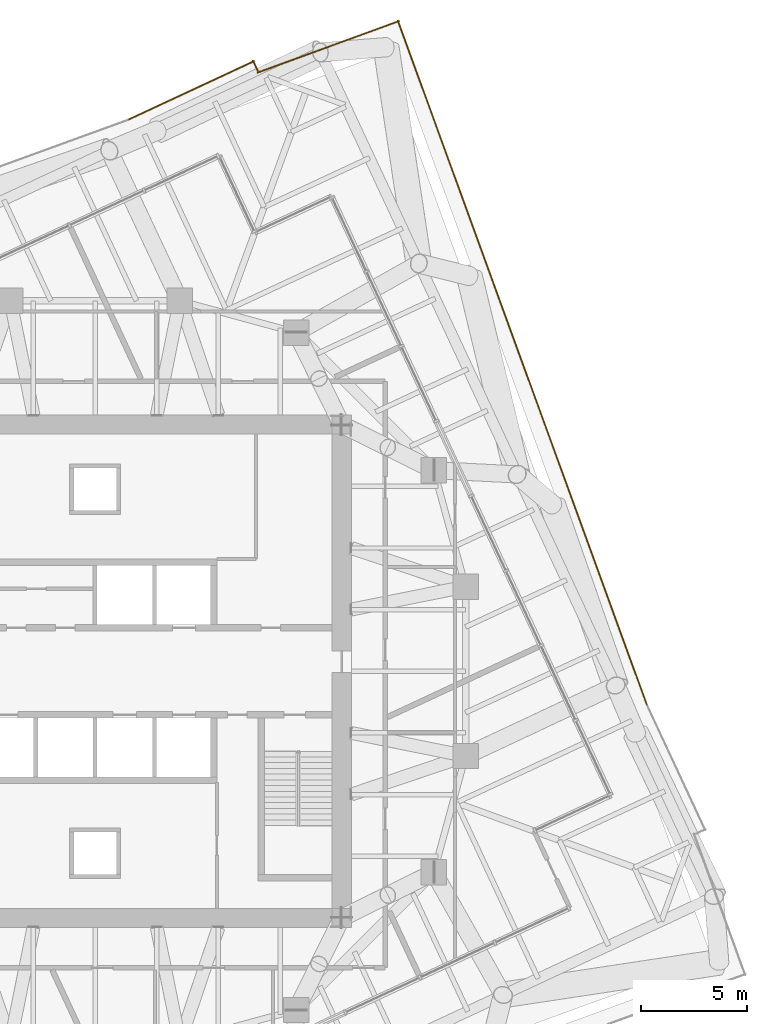
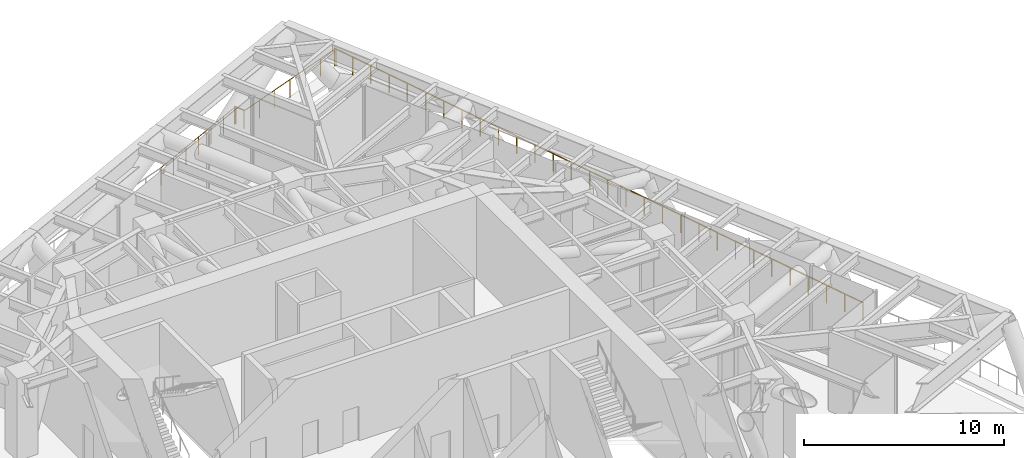
# One storey, part 16 of 16: 4 railings.
"""IFC4 building model written with IfcOpenShell, lengths in metres."""

from ifc_helpers import new_model, si_unit, direction, frame, origin, origin_2d, place, context, subcontext, project, spatial, circle, extrude, material, type_object, element, save


model = new_model("IFC4")

# Units and contexts
model_context = context("Model", 3, precision=1e-05, world=origin(), true_north=direction((0.0, 1.0)))
body_context = subcontext(model_context, "Body", "Model", "MODEL_VIEW")
ifc_project = project(units=[si_unit("LENGTHUNIT", "METRE"), si_unit("AREAUNIT", "SQUARE_METRE"), si_unit("VOLUMEUNIT", "CUBIC_METRE"), si_unit("PLANEANGLEUNIT", "RADIAN"), si_unit("MASSUNIT", "GRAM", prefix="KILO")], contexts=[model_context])

# Site, building, storey
site_placement = place(None, origin())
site = spatial("IfcSite", under=ifc_project, at=site_placement, CompositionType="ELEMENT")
building_placement = place(site_placement, origin())
building = spatial("IfcBuilding", under=site, at=building_placement, Name="Torsade Residences", CompositionType="ELEMENT")
storey_placement = place(building_placement, frame((0.0, 0.0, 171.0)))
storey = spatial("IfcBuildingStorey", under=building, at=storey_placement, Name="L47", CompositionType="ELEMENT", Elevation=171.0)

# Railings
ifc_material = material(Name="Galvanised steel guard rail", Category="steel")
railing_type = type_object("IfcRailingType", Name="ROOF EDGE GUARD 1100", PredefinedType="GUARDRAIL", material=ifc_material)
railing_1_placement = place(storey_placement, frame((66.071533203125, 28.394287109375, 0.0)))
element("IfcRailing", 1, at=railing_1_placement, inside=storey, type_object=railing_type, Name="Roof edge guard L47 7", PredefinedType="GUARDRAIL", context=body_context, shape_type="SweptSolid", body=[
    extrude(circle(Radius=0.02392578125, at=origin_2d()), frame((0.0, 0.0, 1.076171875), z_axis=(-0.342023199778, 0.939691508323, 0.0), x_axis=(-0.939691508323, -0.342023199778, 0.0)), (0.0, 0.0, 1.0), 34.42578125),
    extrude(circle(Radius=0.02099609375, at=origin_2d()), origin(), (0.0, 0.0, 1.0), 1.052001953125),
    extrude(circle(Radius=0.02099609375, at=origin_2d()), frame((-0.406005859375, 1.115478515625, 0.0)), (0.0, 0.0, 1.0), 1.052001953125),
    extrude(circle(Radius=0.02099609375, at=origin_2d()), frame((-0.81201171875, 2.23095703125, 0.0)), (0.0, 0.0, 1.0), 1.052001953125),
    extrude(circle(Radius=0.02099609375, at=origin_2d()), frame((-1.218017578125, 3.346435546875, 0.0)), (0.0, 0.0, 1.0), 1.052001953125),
    extrude(circle(Radius=0.02099609375, at=origin_2d()), frame((-1.6240234375, 4.4619140625, 0.0)), (0.0, 0.0, 1.0), 1.052001953125),
    extrude(circle(Radius=0.02099609375, at=origin_2d()), frame((-2.030029296875, 5.57763671875, 0.0)), (0.0, 0.0, 1.0), 1.052001953125),
    extrude(circle(Radius=0.02099609375, at=origin_2d()), frame((-2.43603515625, 6.693115234375, 0.0)), (0.0, 0.0, 1.0), 1.052001953125),
    extrude(circle(Radius=0.02099609375, at=origin_2d()), frame((-2.842041015625, 7.80859375, 0.0)), (0.0, 0.0, 1.0), 1.052001953125),
    extrude(circle(Radius=0.02099609375, at=origin_2d()), frame((-3.248046875, 8.924072265625, 0.0)), (0.0, 0.0, 1.0), 1.052001953125),
    extrude(circle(Radius=0.02099609375, at=origin_2d()), frame((-3.654052734375, 10.03955078125, 0.0)), (0.0, 0.0, 1.0), 1.052001953125),
    extrude(circle(Radius=0.02099609375, at=origin_2d()), frame((-4.06005859375, 11.155029296875, 0.0)), (0.0, 0.0, 1.0), 1.052001953125),
    extrude(circle(Radius=0.02099609375, at=origin_2d()), frame((-4.466064453125, 12.2705078125, 0.0)), (0.0, 0.0, 1.0), 1.052001953125),
    extrude(circle(Radius=0.02099609375, at=origin_2d()), frame((-4.8720703125, 13.385986328125, 0.0)), (0.0, 0.0, 1.0), 1.052001953125),
    extrude(circle(Radius=0.02099609375, at=origin_2d()), frame((-5.278076171875, 14.50146484375, 0.0)), (0.0, 0.0, 1.0), 1.052001953125),
    extrude(circle(Radius=0.02099609375, at=origin_2d()), frame((-5.68408203125, 15.616943359375, 0.0)), (0.0, 0.0, 1.0), 1.052001953125),
    extrude(circle(Radius=0.02099609375, at=origin_2d()), frame((-6.09033203125, 16.732666015625, 0.0)), (0.0, 0.0, 1.0), 1.052001953125),
    extrude(circle(Radius=0.02099609375, at=origin_2d()), frame((-6.496337890625, 17.84814453125, 0.0)), (0.0, 0.0, 1.0), 1.052001953125),
    extrude(circle(Radius=0.02099609375, at=origin_2d()), frame((-6.90234375, 18.963623046875, 0.0)), (0.0, 0.0, 1.0), 1.052001953125),
    extrude(circle(Radius=0.02099609375, at=origin_2d()), frame((-7.308349609375, 20.0791015625, 0.0)), (0.0, 0.0, 1.0), 1.052001953125),
    extrude(circle(Radius=0.02099609375, at=origin_2d()), frame((-7.71435546875, 21.194580078125, 0.0)), (0.0, 0.0, 1.0), 1.052001953125),
    extrude(circle(Radius=0.02099609375, at=origin_2d()), frame((-8.120361328125, 22.31005859375, 0.0)), (0.0, 0.0, 1.0), 1.052001953125),
    extrude(circle(Radius=0.02099609375, at=origin_2d()), frame((-8.5263671875, 23.425537109375, 0.0)), (0.0, 0.0, 1.0), 1.052001953125),
    extrude(circle(Radius=0.02099609375, at=origin_2d()), frame((-8.932373046875, 24.541015625, 0.0)), (0.0, 0.0, 1.0), 1.052001953125),
    extrude(circle(Radius=0.02099609375, at=origin_2d()), frame((-9.33837890625, 25.656494140625, 0.0)), (0.0, 0.0, 1.0), 1.052001953125),
    extrude(circle(Radius=0.02099609375, at=origin_2d()), frame((-9.744384765625, 26.77197265625, 0.0)), (0.0, 0.0, 1.0), 1.052001953125),
    extrude(circle(Radius=0.02099609375, at=origin_2d()), frame((-10.150390625, 27.8876953125, 0.0)), (0.0, 0.0, 1.0), 1.052001953125),
    extrude(circle(Radius=0.02099609375, at=origin_2d()), frame((-10.556396484375, 29.003173828125, 0.0)), (0.0, 0.0, 1.0), 1.052001953125),
    extrude(circle(Radius=0.02099609375, at=origin_2d()), frame((-10.96240234375, 30.11865234375, 0.0)), (0.0, 0.0, 1.0), 1.052001953125),
    extrude(circle(Radius=0.02099609375, at=origin_2d()), frame((-11.368408203125, 31.234130859375, 0.0)), (0.0, 0.0, 1.0), 1.052001953125),
    extrude(circle(Radius=0.02099609375, at=origin_2d()), frame((-11.7744140625, 32.349609375, 0.0)), (0.0, 0.0, 1.0), 1.052001953125),
])
railing_2_placement = place(storey_placement, frame((54.361328125, 60.714111328125, 0.0)))
element("IfcRailing", 2, at=railing_2_placement, inside=storey, type_object=railing_type, Name="Roof edge guard L47 8", PredefinedType="GUARDRAIL", context=body_context, shape_type="SweptSolid", body=[
    extrude(circle(Radius=0.02392578125, at=origin_2d()), frame((0.0, 0.0, 1.076171875), z_axis=(-0.939690244567, -0.342026671864, 0.0), x_axis=(0.342026671864, -0.939690244567, 0.0)), (0.0, 0.0, 1.0), 7.118896484375),
    extrude(circle(Radius=0.02099609375, at=origin_2d()), origin(), (0.0, 0.0, 1.0), 1.052001953125),
    extrude(circle(Radius=0.02099609375, at=origin_2d()), frame((-1.114990234375, -0.40576171875, 0.0)), (0.0, 0.0, 1.0), 1.052001953125),
    extrude(circle(Radius=0.02099609375, at=origin_2d()), frame((-2.229736328125, -0.8115234375, 0.0)), (0.0, 0.0, 1.0), 1.052001953125),
    extrude(circle(Radius=0.02099609375, at=origin_2d()), frame((-3.3447265625, -1.21728515625, 0.0)), (0.0, 0.0, 1.0), 1.052001953125),
    extrude(circle(Radius=0.02099609375, at=origin_2d()), frame((-4.459716796875, -1.623291015625, 0.0)), (0.0, 0.0, 1.0), 1.052001953125),
    extrude(circle(Radius=0.02099609375, at=origin_2d()), frame((-5.574462890625, -2.029052734375, 0.0)), (0.0, 0.0, 1.0), 1.052001953125),
    extrude(circle(Radius=0.02099609375, at=origin_2d()), frame((-6.689453125, -2.434814453125, 0.0)), (0.0, 0.0, 1.0), 1.052001953125),
])
railing_3_placement = place(storey_placement, frame((47.695556640625, 58.336669921875, 0.0)))
element("IfcRailing", 3, at=railing_3_placement, inside=storey, type_object=railing_type, Name="Roof edge guard L47 9", PredefinedType="GUARDRAIL", context=body_context, shape_type="SweptSolid", body=[
    extrude(circle(Radius=0.02392578125, at=origin_2d()), frame((0.0, 0.0, 1.076171875), z_axis=(-0.422744915894, 0.90624871646, 0.0), x_axis=(-0.90624871646, -0.422744915894, 0.0)), (0.0, 0.0, 1.0), 0.570556640625),
    extrude(circle(Radius=0.02099609375, at=origin_2d()), origin(), (0.0, 0.0, 1.0), 1.052001953125),
    extrude(circle(Radius=0.02099609375, at=origin_2d()), frame((-0.2412109375, 0.51708984375, 0.0)), (0.0, 0.0, 1.0), 1.052001953125),
])
railing_4_placement = place(storey_placement, frame((47.520751953125, 58.82958984375, 0.0)))
element("IfcRailing", 4, at=railing_4_placement, inside=storey, type_object=railing_type, Name="Roof edge guard L47 10", PredefinedType="GUARDRAIL", context=body_context, shape_type="SweptSolid", body=[
    extrude(circle(Radius=0.02392578125, at=origin_2d()), frame((0.0, 0.0, 1.076171875), z_axis=(-0.906303516466, -0.422627419888, 0.0), x_axis=(0.422627419888, -0.906303516466, 0.0)), (0.0, 0.0, 1.0), 6.526611328125),
    extrude(circle(Radius=0.02099609375, at=origin_2d()), origin(), (0.0, 0.0, 1.0), 1.052001953125),
    extrude(circle(Radius=0.02099609375, at=origin_2d()), frame((-0.98583984375, -0.459716796875, 0.0)), (0.0, 0.0, 1.0), 1.052001953125),
    extrude(circle(Radius=0.02099609375, at=origin_2d()), frame((-1.9716796875, -0.91943359375, 0.0)), (0.0, 0.0, 1.0), 1.052001953125),
    extrude(circle(Radius=0.02099609375, at=origin_2d()), frame((-2.95751953125, -1.379150390625, 0.0)), (0.0, 0.0, 1.0), 1.052001953125),
    extrude(circle(Radius=0.02099609375, at=origin_2d()), frame((-3.943359375, -1.8388671875, 0.0)), (0.0, 0.0, 1.0), 1.052001953125),
    extrude(circle(Radius=0.02099609375, at=origin_2d()), frame((-4.92919921875, -2.298583984375, 0.0)), (0.0, 0.0, 1.0), 1.052001953125),
    extrude(circle(Radius=0.02099609375, at=origin_2d()), frame((-5.9150390625, -2.75830078125, 0.0)), (0.0, 0.0, 1.0), 1.052001953125),
])

save(model, "model.ifc")
